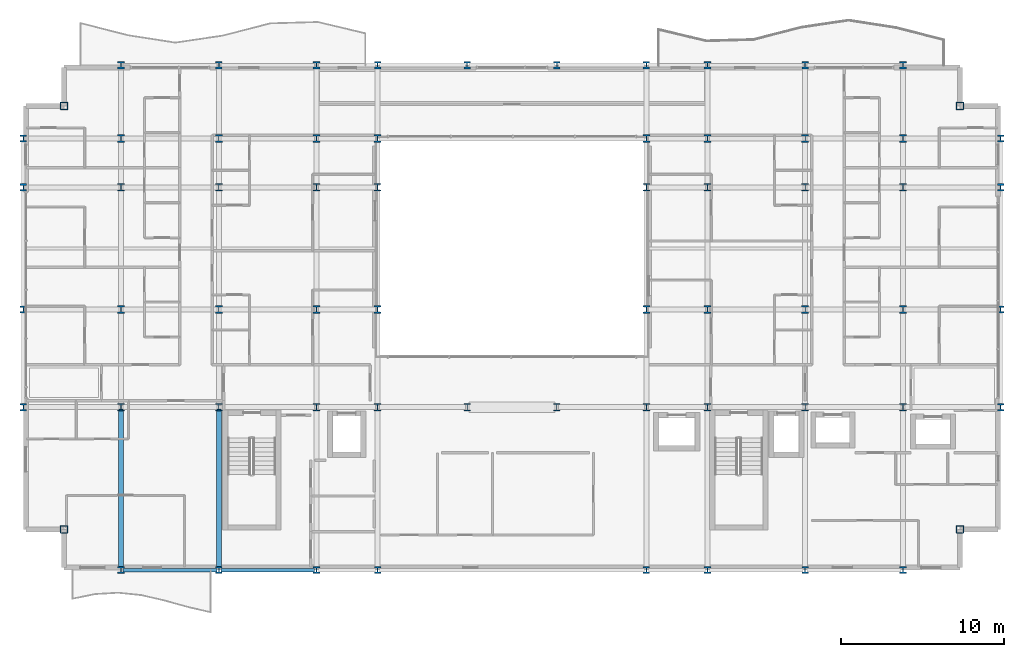
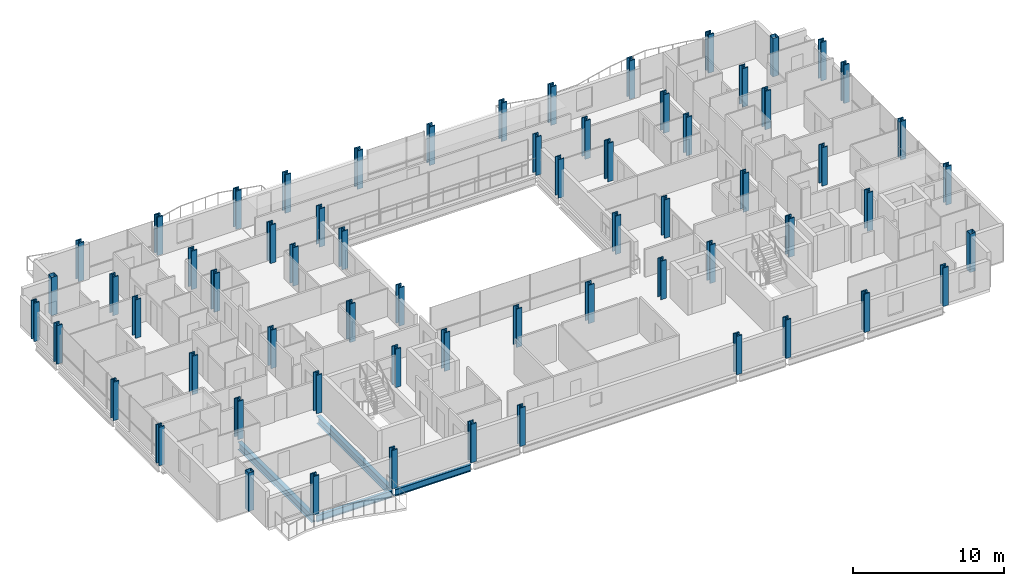
# One storey, part 1 of 40: 64 columns, 4 beams.
"""IFC4 building model written with IfcOpenShell, lengths in metres."""

from ifc_helpers import new_model, si_unit, direction, frame, origin, origin_2d, place, context, subcontext, project, spatial, hollow_rectangle, i_section, extrude, material, material_profile, profile_set, type_object, element, save


model = new_model("IFC4")

# Units and contexts
model_context = context("Model", 3, precision=1e-05, world=origin(), true_north=direction((0.0, 1.0)))
body_context = subcontext(model_context, "Body", "Model", "MODEL_VIEW")
ifc_project = project(units=[si_unit("LENGTHUNIT", "METRE"), si_unit("AREAUNIT", "SQUARE_METRE"), si_unit("VOLUMEUNIT", "CUBIC_METRE"), si_unit("PLANEANGLEUNIT", "RADIAN"), si_unit("MASSUNIT", "GRAM", prefix="KILO")], contexts=[model_context])

# Site, building, storey
site_placement = place(None, origin())
site = spatial("IfcSite", under=ifc_project, at=site_placement, CompositionType="ELEMENT")
building_placement = place(site_placement, origin())
building = spatial("IfcBuilding", under=site, at=building_placement, Name="Brevholm Reach", CompositionType="ELEMENT")
storey_placement = place(building_placement, frame((0.0, 0.0, 31.10009765625)))
storey = spatial("IfcBuildingStorey", under=building, at=storey_placement, Name="L07", CompositionType="ELEMENT", Elevation=31.10009765625)

# Columns
ifc_material_1 = material(Name="Structural Steel S460ML", Category="steel")
ifc_material_profile_1 = material_profile(ifc_material_1, i_section(OverallWidth=0.4140625, OverallDepth=0.444091796875, WebThickness=0.060546875, FlangeThickness=0.096923828125, FilletRadius=0.014892578125, at=origin_2d()), Name="HD 400x818")
ifc_profile_set_1 = profile_set([ifc_material_profile_1], Name="Structural Steel S460ML")
column_type_1 = type_object("IfcColumnType", Name="COL-HD2", PredefinedType="COLUMN", material=ifc_profile_set_1)
for number, where, z_axis, x_axis, name in (
    (1, (0.0, 10.0, 0.0), (0.0, 0.0, 1.0), (1.0, 0.0, 0.0), "L07 Column 01"),
    (2, (0.0, 16.0, 0.0), (0.0, 0.0, 1.0), (1.0, 0.0, 0.0), "L07 Column 02"),
    (3, (0.0, 23.5, 0.0), (0.0, 0.0, 1.0), (1.0, 0.0, 0.0), "L07 Column 03"),
    (4, (0.0, 26.5, 0.0), (0.0, 0.0, 1.0), (1.0, 0.0, 0.0), "L07 Column 04"),
    (5, (6.0, 0.0, 0.0), (0.0, 0.0, 1.0), (1.0, 0.0, 0.0), "L07 Column 07"),
    (6, (6.0, 31.0, 0.0), (0.0, 0.0, 1.0), (1.0, 0.0, 0.0), "L07 Column 12"),
    (7, (12.0, 0.0, 0.0), (0.0, 0.0, 1.0), (1.0, 0.0, 0.0), "L07 Column 13"),
    (8, (12.0, 31.0, 0.0), (0.0, 0.0, 1.0), (1.0, 0.0, 0.0), "L07 Column 18"),
    (9, (18.0, 0.0, 0.0), (0.0, 0.0, 1.0), (1.0, 0.0, 0.0), "L07 Column 19"),
    (10, (18.0, 31.0, 0.0), (0.0, 0.0, 1.0), (1.0, 0.0, 0.0), "L07 Column 24"),
    (11, (21.75, 0.0, 0.0), (0.0, 0.0, 1.0), (1.0, 0.0, 0.0), "L07 Column 25"),
    (12, (21.75, 31.0, 0.0), (0.0, 0.0, 1.0), (1.0, 0.0, 0.0), "L07 Column 30"),
    (13, (27.25, 31.0, 0.0), (0.0, 0.0, 1.0), (1.0, 0.0, 0.0), "L07 Column 32"),
    (14, (32.75, 31.0, 0.0), (0.0, 0.0, 1.0), (1.0, 0.0, 0.0), "L07 Column 34"),
    (15, (38.25, 0.0, 0.0), (0.0, 0.0, 1.0), (1.0, 0.0, 0.0), "L07 Column 35"),
    (16, (38.25, 31.0, 0.0), (0.0, 0.0, 1.0), (1.0, 0.0, 0.0), "L07 Column 40"),
    (17, (42.0, 0.0, 0.0), (0.0, 0.0, 1.0), (1.0, 0.0, 0.0), "L07 Column 41"),
    (18, (42.0, 31.0, 0.0), (0.0, 0.0, 1.0), (1.0, 0.0, 0.0), "L07 Column 46"),
    (19, (48.0, 0.0, 0.0), (0.0, 0.0, 1.0), (1.0, 0.0, 0.0), "L07 Column 47"),
    (20, (48.0, 31.0, 0.0), (0.0, 0.0, 1.0), (1.0, 0.0, 0.0), "L07 Column 52"),
    (21, (54.0, 0.0, 0.0), (0.0, 0.0, 1.0), (1.0, 0.0, 0.0), "L07 Column 53"),
    (22, (54.0, 31.0, 0.0), (0.0, 0.0, 1.0), (1.0, 0.0, 0.0), "L07 Column 58"),
    (23, (60.0, 10.0, 0.0), (0.0, 0.0, 1.0), (1.0, 0.0, 0.0), "L07 Column 61"),
    (24, (60.0, 16.0, 0.0), (0.0, 0.0, 1.0), (1.0, 0.0, 0.0), "L07 Column 62"),
    (25, (60.0, 23.5, 0.0), (0.0, 0.0, 1.0), (1.0, 0.0, 0.0), "L07 Column 63"),
    (26, (60.0, 26.5, 0.0), (0.0, 0.0, 1.0), (1.0, 0.0, 0.0), "L07 Column 64"),
):
    element("IfcColumn", number, at=place(storey_placement, frame(where, z_axis=z_axis, x_axis=x_axis)), inside=storey, type_object=column_type_1, Name=name, PredefinedType="COLUMN", context=body_context, shape_type="SweptSolid", body=[
        extrude(i_section(OverallWidth=0.4140625, OverallDepth=0.444091796875, WebThickness=0.060546875, FlangeThickness=0.096923828125, FilletRadius=0.014892578125, at=origin_2d()), origin(), (0.0, 0.0, 1.0), 3.099853515625),
    ])
ifc_material_2 = material(Name="Structural Steel S460NH", Category="steel")
ifc_material_profile_2 = material_profile(ifc_material_2, hollow_rectangle(XDim=0.449951171875, YDim=0.449951171875, WallThickness=0.02490234375, InnerFilletRadius=0.011962890625, OuterFilletRadius=0.02392578125, at=origin_2d()), Name="SHS 450x450x25")
ifc_profile_set_2 = profile_set([ifc_material_profile_2], Name="Structural Steel S460NH")
column_type_2 = type_object("IfcColumnType", Name="COL-SHS1", PredefinedType="COLUMN", material=ifc_profile_set_2)
for number, where, z_axis, x_axis, name in (
    (27, (2.5, 2.5, 0.0), (0.0, 0.0, 1.0), (1.0, 0.0, 0.0), "L07 Column 05"),
    (28, (2.5, 28.5, 0.0), (0.0, 0.0, 1.0), (1.0, 0.0, 0.0), "L07 Column 06"),
    (29, (57.5, 2.5, 0.0), (0.0, 0.0, 1.0), (1.0, 0.0, 0.0), "L07 Column 59"),
    (30, (57.5, 28.5, 0.0), (0.0, 0.0, 1.0), (1.0, 0.0, 0.0), "L07 Column 60"),
):
    element("IfcColumn", number, at=place(storey_placement, frame(where, z_axis=z_axis, x_axis=x_axis)), inside=storey, type_object=column_type_2, Name=name, PredefinedType="COLUMN", context=body_context, shape_type="SweptSolid", body=[
        extrude(hollow_rectangle(XDim=0.449951171875, YDim=0.449951171875, WallThickness=0.02490234375, InnerFilletRadius=0.011962890625, OuterFilletRadius=0.02392578125, at=origin_2d()), origin(), (0.0, 0.0, 1.0), 3.099853515625),
    ])
ifc_material_3 = material(Name="Structural Steel S460ML", Category="steel")
ifc_material_profile_3 = material_profile(ifc_material_3, i_section(OverallWidth=0.424072265625, OverallDepth=0.474609375, WebThickness=0.047607421875, FlangeThickness=0.076904296875, FilletRadius=0.01513671875, at=origin_2d()), Name="UKC 356x406x634")
ifc_profile_set_3 = profile_set([ifc_material_profile_3], Name="Structural Steel S460ML")
column_type_3 = type_object("IfcColumnType", Name="COL-UC1", PredefinedType="COLUMN", material=ifc_profile_set_3)
for number, where, z_axis, x_axis, name in (
    (31, (6.0, 10.0, 0.0), (0.0, 0.0, 1.0), (1.0, 0.0, 0.0), "L07 Column 08"),
    (32, (6.0, 16.0, 0.0), (0.0, 0.0, 1.0), (1.0, 0.0, 0.0), "L07 Column 09"),
    (33, (6.0, 23.5, 0.0), (0.0, 0.0, 1.0), (1.0, 0.0, 0.0), "L07 Column 10"),
    (34, (6.0, 26.5, 0.0), (0.0, 0.0, 1.0), (1.0, 0.0, 0.0), "L07 Column 11"),
    (35, (12.0, 10.0, 0.0), (0.0, 0.0, 1.0), (1.0, 0.0, 0.0), "L07 Column 14"),
    (36, (12.0, 16.0, 0.0), (0.0, 0.0, 1.0), (1.0, 0.0, 0.0), "L07 Column 15"),
    (37, (12.0, 23.5, 0.0), (0.0, 0.0, 1.0), (1.0, 0.0, 0.0), "L07 Column 16"),
    (38, (12.0, 26.5, 0.0), (0.0, 0.0, 1.0), (1.0, 0.0, 0.0), "L07 Column 17"),
    (39, (18.0, 10.0, 0.0), (0.0, 0.0, 1.0), (1.0, 0.0, 0.0), "L07 Column 20"),
    (40, (18.0, 16.0, 0.0), (0.0, 0.0, 1.0), (1.0, 0.0, 0.0), "L07 Column 21"),
    (41, (18.0, 23.5, 0.0), (0.0, 0.0, 1.0), (1.0, 0.0, 0.0), "L07 Column 22"),
    (42, (18.0, 26.5, 0.0), (0.0, 0.0, 1.0), (1.0, 0.0, 0.0), "L07 Column 23"),
    (43, (21.75, 10.0, 0.0), (0.0, 0.0, 1.0), (1.0, 0.0, 0.0), "L07 Column 26"),
    (44, (21.75, 16.0, 0.0), (0.0, 0.0, 1.0), (1.0, 0.0, 0.0), "L07 Column 27"),
    (45, (21.75, 23.5, 0.0), (0.0, 0.0, 1.0), (1.0, 0.0, 0.0), "L07 Column 28"),
    (46, (21.75, 26.5, 0.0), (0.0, 0.0, 1.0), (1.0, 0.0, 0.0), "L07 Column 29"),
    (47, (27.25, 10.0, 0.0), (0.0, 0.0, 1.0), (1.0, 0.0, 0.0), "L07 Column 31"),
    (48, (32.75, 10.0, 0.0), (0.0, 0.0, 1.0), (1.0, 0.0, 0.0), "L07 Column 33"),
    (49, (38.25, 10.0, 0.0), (0.0, 0.0, 1.0), (1.0, 0.0, 0.0), "L07 Column 36"),
    (50, (38.25, 16.0, 0.0), (0.0, 0.0, 1.0), (1.0, 0.0, 0.0), "L07 Column 37"),
    (51, (38.25, 23.5, 0.0), (0.0, 0.0, 1.0), (1.0, 0.0, 0.0), "L07 Column 38"),
    (52, (38.25, 26.5, 0.0), (0.0, 0.0, 1.0), (1.0, 0.0, 0.0), "L07 Column 39"),
    (53, (42.0, 10.0, 0.0), (0.0, 0.0, 1.0), (1.0, 0.0, 0.0), "L07 Column 42"),
    (54, (42.0, 16.0, 0.0), (0.0, 0.0, 1.0), (1.0, 0.0, 0.0), "L07 Column 43"),
    (55, (42.0, 23.5, 0.0), (0.0, 0.0, 1.0), (1.0, 0.0, 0.0), "L07 Column 44"),
    (56, (42.0, 26.5, 0.0), (0.0, 0.0, 1.0), (1.0, 0.0, 0.0), "L07 Column 45"),
    (57, (48.0, 10.0, 0.0), (0.0, 0.0, 1.0), (1.0, 0.0, 0.0), "L07 Column 48"),
    (58, (48.0, 16.0, 0.0), (0.0, 0.0, 1.0), (1.0, 0.0, 0.0), "L07 Column 49"),
    (59, (48.0, 23.5, 0.0), (0.0, 0.0, 1.0), (1.0, 0.0, 0.0), "L07 Column 50"),
    (60, (48.0, 26.5, 0.0), (0.0, 0.0, 1.0), (1.0, 0.0, 0.0), "L07 Column 51"),
    (61, (54.0, 10.0, 0.0), (0.0, 0.0, 1.0), (1.0, 0.0, 0.0), "L07 Column 54"),
    (62, (54.0, 16.0, 0.0), (0.0, 0.0, 1.0), (1.0, 0.0, 0.0), "L07 Column 55"),
    (63, (54.0, 23.5, 0.0), (0.0, 0.0, 1.0), (1.0, 0.0, 0.0), "L07 Column 56"),
    (64, (54.0, 26.5, 0.0), (0.0, 0.0, 1.0), (1.0, 0.0, 0.0), "L07 Column 57"),
):
    element("IfcColumn", number, at=place(storey_placement, frame(where, z_axis=z_axis, x_axis=x_axis)), inside=storey, type_object=column_type_3, Name=name, PredefinedType="COLUMN", context=body_context, shape_type="SweptSolid", body=[
        extrude(i_section(OverallWidth=0.424072265625, OverallDepth=0.474609375, WebThickness=0.047607421875, FlangeThickness=0.076904296875, FilletRadius=0.01513671875, at=origin_2d()), origin(), (0.0, 0.0, 1.0), 3.099853515625),
    ])

# Beams
ifc_material_4 = material(Name="Structural Steel S355J2", Category="steel")
ifc_material_profile_4 = material_profile(ifc_material_4, i_section(OverallWidth=0.210693359375, OverallDepth=0.53955078125, WebThickness=0.01171875, FlangeThickness=0.018798828125, FilletRadius=0.0126953125, at=origin_2d()), Name="UKB 533x210x109")
ifc_profile_set_4 = profile_set([ifc_material_profile_4], Name="Structural Steel S355J2")
beam_type_1 = type_object("IfcBeamType", Name="BM-SP539", PredefinedType="SPANDREL", material=ifc_profile_set_4)
for number, where, z_axis, x_axis, name in (
    (65, (6.1201171875, 0.0, -0.499755859375), (1.0, 0.0, 0.0), (0.0, 1.0, 0.0), "L07 SP-01B Framing Beam"),
    (66, (12.1201171875, 0.0, -0.499755859375), (1.0, 0.0, 0.0), (0.0, 1.0, 0.0), "L07 SP-01B Framing Beam"),
):
    element("IfcBeam", number, at=place(storey_placement, frame(where, z_axis=z_axis, x_axis=x_axis)), inside=storey, type_object=beam_type_1, Name=name, PredefinedType="SPANDREL", context=body_context, shape_type="SweptSolid", body=[
        extrude(i_section(OverallWidth=0.210693359375, OverallDepth=0.53955078125, WebThickness=0.01171875, FlangeThickness=0.018798828125, FilletRadius=0.0126953125, at=origin_2d()), origin(), (0.0, 0.0, 1.0), 5.759765625),
    ])
ifc_material_5 = material(Name="Structural Steel S355J2", Category="steel")
ifc_material_profile_5 = material_profile(ifc_material_5, i_section(OverallWidth=0.30712890625, OverallDepth=0.6201171875, WebThickness=0.01416015625, FlangeThickness=0.023681640625, FilletRadius=0.0166015625, at=origin_2d()), Name="UKB 610x305x179")
ifc_profile_set_5 = profile_set([ifc_material_profile_5], Name="Structural Steel S355J2")
beam_type_2 = type_object("IfcBeamType", Name="BM-UKB610H", PredefinedType="USERDEFINED", material=ifc_profile_set_5)
for number, where, z_axis, x_axis, name in (
    (67, (6.0, 0.1201171875, -0.540283203125), (0.0, 1.0, 0.0), (-1.0, 0.0, 0.0), "L07 G-06 Framing Beam"),
    (68, (12.0, 0.1201171875, -0.540283203125), (0.0, 1.0, 0.0), (-1.0, 0.0, 0.0), "L07 G-06 Framing Beam"),
):
    element("IfcBeam", number, at=place(storey_placement, frame(where, z_axis=z_axis, x_axis=x_axis)), inside=storey, type_object=beam_type_2, Name=name, ObjectType="GIRDER", PredefinedType="USERDEFINED", context=body_context, shape_type="SweptSolid", body=[
        extrude(i_section(OverallWidth=0.30712890625, OverallDepth=0.6201171875, WebThickness=0.01416015625, FlangeThickness=0.023681640625, FilletRadius=0.0166015625, at=origin_2d()), origin(), (0.0, 0.0, 1.0), 9.759765625),
    ])

save(model, "model.ifc")
